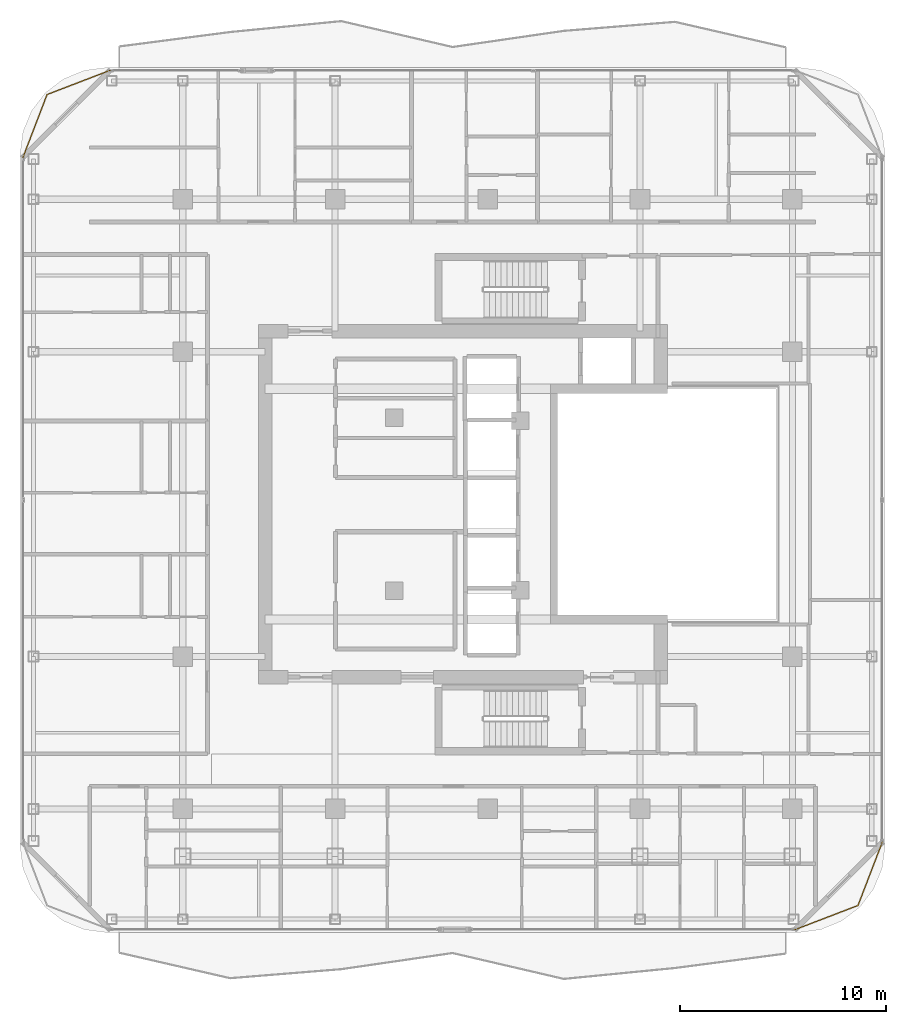
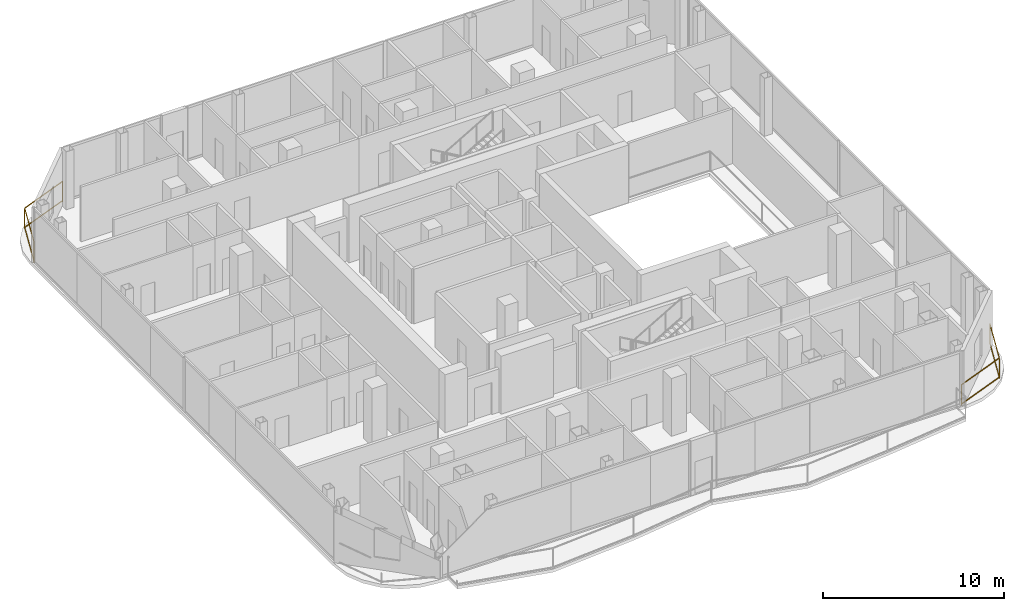
# One storey, part 22 of 23: 2 railings.
"""IFC4 building model written with IfcOpenShell, lengths in metres."""

from ifc_helpers import new_model, si_unit, direction, frame, origin, origin_2d, place, context, subcontext, project, spatial, rectangle, extrude, material, type_object, element, save


model = new_model("IFC4")

# Units and contexts
model_context = context("Model", 3, precision=1e-05, world=origin(), true_north=direction((0.0, 1.0)))
body_context = subcontext(model_context, "Body", "Model", "MODEL_VIEW")
ifc_project = project(units=[si_unit("LENGTHUNIT", "METRE"), si_unit("AREAUNIT", "SQUARE_METRE"), si_unit("VOLUMEUNIT", "CUBIC_METRE"), si_unit("PLANEANGLEUNIT", "RADIAN"), si_unit("MASSUNIT", "GRAM", prefix="KILO")], contexts=[model_context])

# Site, building, storey
site_placement = place(None, origin())
site = spatial("IfcSite", under=ifc_project, at=site_placement, CompositionType="ELEMENT")
building_placement = place(site_placement, origin())
building = spatial("IfcBuilding", under=site, at=building_placement, Name="Khorvyn Point Tower", CompositionType="ELEMENT")
storey_placement = place(building_placement, frame((0.0, 0.0, 293.699951171875)))
storey = spatial("IfcBuildingStorey", under=building, at=storey_placement, Name="L72", CompositionType="ELEMENT", Elevation=293.699951171875)

# Railings
ifc_material = material(Name="Anodised aluminium 6063-T6 and laminated safety glass", Category="aluminium")
railing_type = type_object("IfcRailingType", Name="Laminated Glass and Aluminium Balcony Guardrail 1400", PredefinedType="BALUSTRADE", material=ifc_material)
railing_1_placement = place(storey_placement, frame((-18.28662109375, 21.074462890625, 0.0)))
element("IfcRailing", 1, at=railing_1_placement, inside=storey, type_object=railing_type, Name="L72 Rounded Corner Edge Guardrail NW", PredefinedType="BALUSTRADE", context=body_context, shape_type="SweptSolid", body=[
    extrude(rectangle(XDim=0.048095703125, YDim=0.048095703125, at=origin_2d()), frame((0.0, 0.0, 1.3759765625), z_axis=(-0.93357103624, -0.358392411044, 0.0), x_axis=(0.358392411044, -0.93357103624, 0.0)), (0.0, 0.0, 1.0), 3.31884765625),
    extrude(rectangle(XDim=0.048095703125, YDim=0.048095703125, at=origin_2d()), frame((0.0, 0.0, 0.080078125), z_axis=(-0.93357103624, -0.358392411044, 0.0), x_axis=(0.358392411044, -0.93357103624, 0.0)), (0.0, 0.0, 1.0), 3.31884765625),
    extrude(rectangle(XDim=0.048095703125, YDim=0.048095703125, at=origin_2d()), frame((-3.098388671875, -1.189453125, 1.3759765625), z_axis=(-0.358392411044, -0.93357103624, 0.0), x_axis=(0.93357103624, -0.358392411044, 0.0)), (0.0, 0.0, 1.0), 3.31884765625),
    extrude(rectangle(XDim=0.048095703125, YDim=0.048095703125, at=origin_2d()), frame((-3.098388671875, -1.189453125, 0.080078125), z_axis=(-0.358392411044, -0.93357103624, 0.0), x_axis=(0.93357103624, -0.358392411044, 0.0)), (0.0, 0.0, 1.0), 3.31884765625),
    extrude(rectangle(XDim=0.0419921875, YDim=0.0419921875, at=origin_2d()), origin(), (0.0, 0.0, 1.0), 1.351806640625),
    extrude(rectangle(XDim=0.0419921875, YDim=0.0419921875, at=origin_2d()), frame((-3.098388671875, -1.189453125, 0.0)), (0.0, 0.0, 1.0), 1.351806640625),
    extrude(rectangle(XDim=0.0419921875, YDim=0.0419921875, at=origin_2d()), frame((-4.287841796875, -4.287841796875, 0.0)), (0.0, 0.0, 1.0), 1.351806640625),
])
railing_2_placement = place(storey_placement, frame((14.886474609375, -20.67431640625, 0.0)))
element("IfcRailing", 2, at=railing_2_placement, inside=storey, type_object=railing_type, Name="L72 Rounded Corner Edge Guardrail SE", PredefinedType="BALUSTRADE", context=body_context, shape_type="SweptSolid", body=[
    extrude(rectangle(XDim=0.048095703125, YDim=0.048095703125, at=origin_2d()), frame((0.0, 0.0, 1.3759765625), z_axis=(0.933605091831, 0.358303687544, 0.0), x_axis=(-0.358303687544, 0.933605091831, 0.0)), (0.0, 0.0, 1.0), 3.319091796875),
    extrude(rectangle(XDim=0.048095703125, YDim=0.048095703125, at=origin_2d()), frame((0.0, 0.0, 0.080078125), z_axis=(0.933605091831, 0.358303687544, 0.0), x_axis=(-0.358303687544, 0.933605091831, 0.0)), (0.0, 0.0, 1.0), 3.319091796875),
    extrude(rectangle(XDim=0.048095703125, YDim=0.048095703125, at=origin_2d()), frame((3.0986328125, 1.189208984375, 1.3759765625), z_axis=(0.358303687544, 0.933605091831, 0.0), x_axis=(-0.933605091831, 0.358303687544, 0.0)), (0.0, 0.0, 1.0), 3.319091796875),
    extrude(rectangle(XDim=0.048095703125, YDim=0.048095703125, at=origin_2d()), frame((3.0986328125, 1.189208984375, 0.080078125), z_axis=(0.358303687544, 0.933605091831, 0.0), x_axis=(-0.933605091831, 0.358303687544, 0.0)), (0.0, 0.0, 1.0), 3.319091796875),
    extrude(rectangle(XDim=0.0419921875, YDim=0.0419921875, at=origin_2d()), origin(), (0.0, 0.0, 1.0), 1.351806640625),
    extrude(rectangle(XDim=0.0419921875, YDim=0.0419921875, at=origin_2d()), frame((3.0986328125, 1.189208984375, 0.0)), (0.0, 0.0, 1.0), 1.351806640625),
    extrude(rectangle(XDim=0.0419921875, YDim=0.0419921875, at=origin_2d()), frame((4.287841796875, 4.287841796875, 0.0)), (0.0, 0.0, 1.0), 1.351806640625),
])

save(model, "model.ifc")
